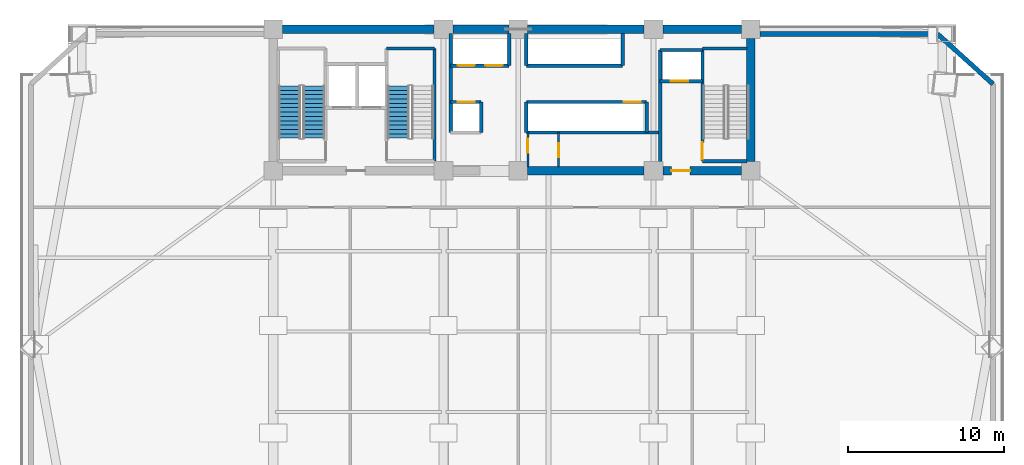
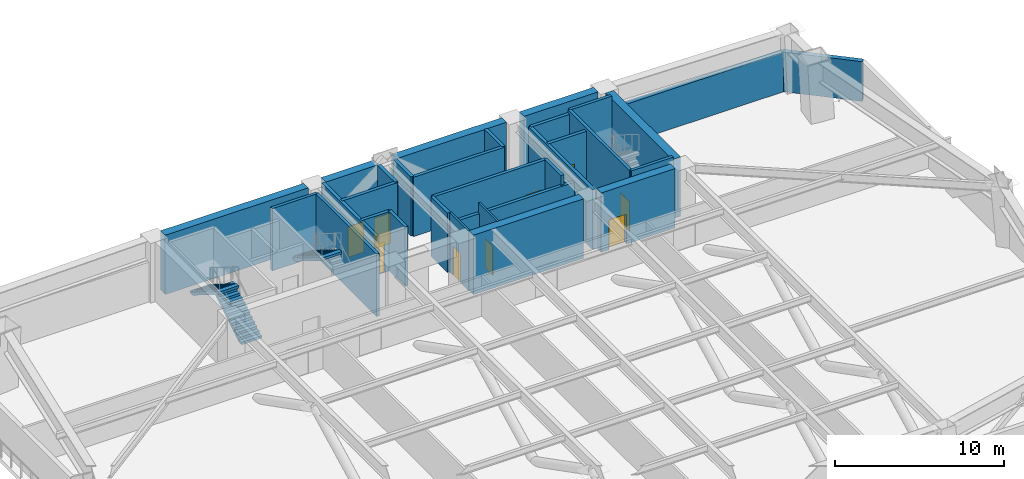
# One storey, part 4 of 10: 31 walls, 9 doors, 3 stair flights, 9 openings, 2 elements without a shape of their own.
"""IFC4 building model written with IfcOpenShell, lengths in metres."""

from ifc_helpers import new_model, si_unit, direction, frame, frame_2d, origin, place, context, subcontext, project, spatial, polyline, rectangle, outline, extrude, source, transform, mapped, material, layer, layer_set, type_object, element, fill, aggregate, save


model = new_model("IFC4")

# Units and contexts
model_context = context("Model", 3, precision=1e-05, world=origin(), true_north=direction((0.0, 1.0)))
body_context = subcontext(model_context, "Body", "Model", "MODEL_VIEW")
ifc_project = project(units=[si_unit("LENGTHUNIT", "METRE"), si_unit("AREAUNIT", "SQUARE_METRE"), si_unit("VOLUMEUNIT", "CUBIC_METRE"), si_unit("PLANEANGLEUNIT", "RADIAN"), si_unit("MASSUNIT", "GRAM", prefix="KILO")], contexts=[model_context])

# Site, building, storey
site_placement = place(None, origin())
site = spatial("IfcSite", under=ifc_project, at=site_placement, CompositionType="ELEMENT")
building_placement = place(site_placement, origin())
building = spatial("IfcBuilding", under=site, at=building_placement, Name="Giltprow Tower", CompositionType="ELEMENT")
storey_placement = place(building_placement, frame((0.0, 0.0, 95.199951171875)))
storey = spatial("IfcBuildingStorey", under=building, at=storey_placement, Name="L23", CompositionType="ELEMENT", Elevation=95.199951171875)

# Walls
ifc_material_1 = material(Name="Precast concrete C40", Category="concrete")
ifc_layer_1 = layer(ifc_material_1, 0.300048828125, Name="Precast concrete C40")
ifc_layer_set_1 = layer_set([ifc_layer_1], Name="Precast concrete C40")
wall_type_1 = type_object("IfcWallType", Name="EW-NOTCH-CHAMFER-300", PredefinedType="SOLIDWALL", material=ifc_layer_set_1)
wall_1_placement = place(storey_placement, frame((66.1259765625, 43.030029296875, 0.0), z_axis=(0.0, 0.0, 1.0), x_axis=(-0.742579132676, 0.669758338294, 0.0)))
element("IfcWall", 1, at=wall_1_placement, inside=storey, type_object=wall_type_1, Name="L23 Corner Notch Wall NE", PredefinedType="SOLIDWALL", context=body_context, shape_type="SweptSolid", body=[
    extrude(rectangle(XDim=4.8076171875, YDim=0.300048828125, at=frame_2d((2.40380859375, 0.0))), origin(), (0.0, 0.0, 1.0), 2.860107421875),
])
ifc_layer_2 = layer(ifc_material_1, 0.300048828125, Name="Precast concrete C40")
ifc_layer_set_2 = layer_set([ifc_layer_2], Name="Precast concrete C40")
wall_type_2 = type_object("IfcWallType", Name="EW-REF-LOUVRE-300", PredefinedType="SOLIDWALL", material=ifc_layer_set_2)
wall_2_placement = place(storey_placement, frame((51.14990234375, 46.25, 0.0), z_axis=(0.0, 0.0, 1.0), x_axis=(1.0, 0.0, 0.0)))
element("IfcWall", 2, at=wall_2_placement, inside=storey, type_object=wall_type_2, Name="L23 North-East Wing Wall", PredefinedType="SOLIDWALL", context=body_context, shape_type="SweptSolid", body=[
    extrude(rectangle(XDim=11.406005859375, YDim=0.300048828125, at=frame_2d((5.703125, 0.0))), origin(), (0.0, 0.0, 1.0), 2.860107421875),
])

# Wall, opening, door
ifc_material_2 = material(Name="Concrete C40", Category="concrete")
ifc_layer_3 = layer(ifc_material_2, 0.219970703125, Name="Concrete C40")
ifc_layer_set_3 = layer_set([ifc_layer_3], Name="Concrete C40")
wall_type_3 = type_object("IfcWallType", Name="IW-SHAFT-220", PredefinedType="SOLIDWALL", material=ifc_layer_set_3)
wall_3_placement = place(storey_placement, frame((44.719970703125, 43.219970703125, 0.0), z_axis=(0.0, 0.0, 1.0), x_axis=(1.0, 0.0, 0.0)))
wall_3 = element("IfcWall", 3, at=wall_3_placement, inside=storey, type_object=wall_type_3, Name="L23 FFL2 Front Shaft Wall", PredefinedType="SOLIDWALL", context=body_context, shape_type="SweptSolid", body=[
    extrude(rectangle(XDim=2.719970703125, YDim=0.219970703125, at=frame_2d((1.35986328125, 0.0))), origin(), (0.0, 0.0, 1.0), 4.280029296875),
])
opening_1_placement = place(wall_3_placement, frame((0.699951171875, 0.0, 0.0)))
opening_1 = element("IfcOpeningElement", 4, at=opening_1_placement, cuts=wall_3, Name="Opening LD-11", PredefinedType="OPENING", context=body_context, shape_type="SweptSolid", body=[
    extrude(rectangle(XDim=1.10009765625, YDim=2.199951171875, at=frame_2d((0.550048828125, 1.10009765625))), frame((0.0, 0.119873046875, 0.0), z_axis=(0.0, -1.0, 0.0), x_axis=(1.0, 0.0, 0.0)), (0.0, 0.0, 1.0), 0.239990234375),
])
ifc_material_3 = material(Name="Stainless steel", Category="steel")
door_type_1 = type_object("IfcDoorType", Name="DR-LIFT-LD1100", OperationType="SLIDING_TO_LEFT", PredefinedType="DOOR", material=ifc_material_3)
shared_shape_1 = source(origin(), body_context, "Body", "SweptSolid", [
    extrude(rectangle(XDim=1.10009765625, YDim=2.199951171875, at=frame_2d((0.550048828125, 1.10009765625))), frame((0.0, 0.02490234375, 0.0), z_axis=(0.0, -1.0, 0.0), x_axis=(1.0, 0.0, 0.0)), (0.0, 0.0, 1.0), 0.050048828125),
])
door_1_placement = place(opening_1_placement, origin())
door_1 = element("IfcDoor", 5, at=door_1_placement, inside=storey, type_object=door_type_1, Name="L23 FFL2 Landing Door", OperationType="SLIDING_TO_LEFT", OverallHeight=2.199951171875, OverallWidth=1.10009765625, PredefinedType="DOOR", context=body_context, shape_type="MappedRepresentation", body=[
    mapped(shared_shape_1, transform((0.0, 0.0, 0.0), x_axis=(1.0, 0.0, 0.0), y_axis=(0.0, 1.0, 0.0), z_axis=(0.0, 0.0, 1.0), scale=1.0)),
])
fill(opening_1, door_1)

# Walls
wall_4_placement = place(storey_placement, frame((44.719970703125, 45.219970703125, 0.0), z_axis=(0.0, 0.0, 1.0), x_axis=(1.0, 0.0, 0.0)))
element("IfcWall", 6, at=wall_4_placement, inside=storey, type_object=wall_type_3, Name="L23 FFL2 Back Shaft Wall", PredefinedType="SOLIDWALL", context=body_context, shape_type="SweptSolid", body=[
    extrude(rectangle(XDim=2.719970703125, YDim=0.219970703125, at=frame_2d((1.35986328125, 0.0))), origin(), (0.0, 0.0, 1.0), 4.280029296875),
])
wall_5_placement = place(storey_placement, frame((44.719970703125, 37.705078125, 0.0), z_axis=(0.0, 0.0, 1.0), x_axis=(0.0, 1.0, 0.0)))
element("IfcWall", 7, at=wall_5_placement, inside=storey, type_object=wall_type_3, Name="L23 East Firefighting Lobby West Wall", PredefinedType="SOLIDWALL", context=body_context, shape_type="SweptSolid", body=[
    extrude(rectangle(XDim=7.514892578125, YDim=0.219970703125, at=frame_2d((3.75732421875, 0.0))), origin(), (0.0, 0.0, 1.0), 4.280029296875),
])

# Wall, openings, doors
wall_6_placement = place(storey_placement, frame((31.25, 44.219970703125, 0.0), z_axis=(0.0, 0.0, 1.0), x_axis=(1.0, 0.0, 0.0)))
wall_6 = element("IfcWall", 8, at=wall_6_placement, inside=storey, type_object=wall_type_3, Name="L23 North West Lift Shaft Front Wall", PredefinedType="SOLIDWALL", context=body_context, shape_type="SweptSolid", body=[
    extrude(rectangle(XDim=3.77001953125, YDim=0.219970703125, at=frame_2d((1.885009765625, 0.0))), origin(), (0.0, 0.0, 1.0), 4.280029296875),
])
opening_2_placement = place(wall_6_placement, frame((0.4599609375, 0.0, 0.0)))
opening_2 = element("IfcOpeningElement", 9, at=opening_2_placement, cuts=wall_6, Name="Opening LD-11", PredefinedType="OPENING", context=body_context, shape_type="SweptSolid", body=[
    extrude(rectangle(XDim=1.10009765625, YDim=2.199951171875, at=frame_2d((0.550048828125, 1.10009765625))), frame((0.0, 0.119873046875, 0.0), z_axis=(0.0, -1.0, 0.0), x_axis=(1.0, 0.0, 0.0)), (0.0, 0.0, 1.0), 0.239990234375),
])
opening_3_placement = place(wall_6_placement, frame((2.239990234375, 0.0, 0.0)))
opening_3 = element("IfcOpeningElement", 10, at=opening_3_placement, cuts=wall_6, Name="Opening LD-11", PredefinedType="OPENING", context=body_context, shape_type="SweptSolid", body=[
    extrude(rectangle(XDim=1.10009765625, YDim=2.199951171875, at=frame_2d((0.550048828125, 1.10009765625))), frame((0.0, 0.119873046875, 0.0), z_axis=(0.0, -1.0, 0.0), x_axis=(1.0, 0.0, 0.0)), (0.0, 0.0, 1.0), 0.239990234375),
])
door_2_placement = place(opening_2_placement, origin())
door_2 = element("IfcDoor", 11, at=door_2_placement, inside=storey, type_object=door_type_1, Name="L23 PL-L1 Landing Door", OperationType="SLIDING_TO_LEFT", OverallHeight=2.199951171875, OverallWidth=1.10009765625, PredefinedType="DOOR", context=body_context, shape_type="MappedRepresentation", body=[
    mapped(shared_shape_1, transform((0.0, 0.0, 0.0), x_axis=(1.0, 0.0, 0.0), y_axis=(0.0, 1.0, 0.0), z_axis=(0.0, 0.0, 1.0), scale=1.0)),
])
fill(opening_2, door_2)
door_3_placement = place(opening_3_placement, origin())
door_3 = element("IfcDoor", 12, at=door_3_placement, inside=storey, type_object=door_type_1, Name="L23 PL-L2 Landing Door", OperationType="SLIDING_TO_LEFT", OverallHeight=2.199951171875, OverallWidth=1.10009765625, PredefinedType="DOOR", context=body_context, shape_type="MappedRepresentation", body=[
    mapped(shared_shape_1, transform((0.0, 0.0, 0.0), x_axis=(1.0, 0.0, 0.0), y_axis=(0.0, 1.0, 0.0), z_axis=(0.0, 0.0, 1.0), scale=1.0)),
])
fill(opening_3, door_3)

# Walls
wall_7_placement = place(storey_placement, frame((36.1201171875, 44.219970703125, 0.0), z_axis=(0.0, 0.0, 1.0), x_axis=(1.0, 0.0, 0.0)))
element("IfcWall", 13, at=wall_7_placement, inside=storey, type_object=wall_type_3, Name="L23 North East Lift Shaft Front Wall", PredefinedType="SOLIDWALL", context=body_context, shape_type="SweptSolid", body=[
    extrude(rectangle(XDim=6.199951171875, YDim=0.219970703125, at=frame_2d((3.10009765625, 0.0))), origin(), (0.0, 0.0, 1.0), 4.280029296875),
])
for number, where, z_axis, x_axis, name in (
    (14, (35.02001953125, 44.219970703125, 0.0), (0.0, 0.0, 1.0), (0.0, 1.0, 0.0), "L23 North West Lift Shaft East Closure"),
    (15, (36.1201171875, 44.219970703125, 0.0), (0.0, 0.0, 1.0), (0.0, 1.0, 0.0), "L23 North East Lift Shaft West Closure"),
    (16, (42.320068359375, 44.219970703125, 0.0), (0.0, 0.0, 1.0), (0.0, 1.0, 0.0), "L23 North East Lift Shaft East Closure"),
):
    element("IfcWall", number, at=place(storey_placement, frame(where, z_axis=z_axis, x_axis=x_axis)), inside=storey, type_object=wall_type_3, Name=name, PredefinedType="SOLIDWALL", context=body_context, shape_type="SweptSolid", body=[
        extrude(rectangle(XDim=2.074951171875, YDim=0.219970703125, at=frame_2d((1.03759765625, 0.0))), origin(), (0.0, 0.0, 1.0), 4.280029296875),
    ])

# Wall, opening, door
wall_8_placement = place(storey_placement, frame((31.25, 41.8798828125, 0.0), z_axis=(0.0, 0.0, 1.0), x_axis=(1.0, 0.0, 0.0)))
wall_8 = element("IfcWall", 17, at=wall_8_placement, inside=storey, type_object=wall_type_3, Name="L23 South West Lift Shaft Front Wall", PredefinedType="SOLIDWALL", context=body_context, shape_type="SweptSolid", body=[
    extrude(rectangle(XDim=1.969970703125, YDim=0.219970703125, at=frame_2d((0.98486328125, 0.0))), origin(), (0.0, 0.0, 1.0), 4.280029296875),
])
opening_4_placement = place(wall_8_placement, frame((0.4599609375, 0.0, 0.0)))
opening_4 = element("IfcOpeningElement", 18, at=opening_4_placement, cuts=wall_8, Name="Opening LD-11", PredefinedType="OPENING", context=body_context, shape_type="SweptSolid", body=[
    extrude(rectangle(XDim=1.10009765625, YDim=2.199951171875, at=frame_2d((0.550048828125, 1.10009765625))), frame((0.0, 0.119873046875, 0.0), z_axis=(0.0, -1.0, 0.0), x_axis=(1.0, 0.0, 0.0)), (0.0, 0.0, 1.0), 0.239990234375),
])
door_4_placement = place(opening_4_placement, origin())
door_4 = element("IfcDoor", 19, at=door_4_placement, inside=storey, type_object=door_type_1, Name="L23 PL-L3 Landing Door", OperationType="SLIDING_TO_LEFT", OverallHeight=2.199951171875, OverallWidth=1.10009765625, PredefinedType="DOOR", context=body_context, shape_type="MappedRepresentation", body=[
    mapped(shared_shape_1, transform((0.0, 0.0, 0.0), x_axis=(1.0, 0.0, 0.0), y_axis=(0.0, 1.0, 0.0), z_axis=(0.0, 0.0, 1.0), scale=1.0)),
])
fill(opening_4, door_4)

wall_9_placement = place(storey_placement, frame((36.1201171875, 41.8798828125, 0.0), z_axis=(0.0, 0.0, 1.0), x_axis=(1.0, 0.0, 0.0)))
wall_9 = element("IfcWall", 20, at=wall_9_placement, inside=storey, type_object=wall_type_3, Name="L23 South East Lift Shaft Front Wall", PredefinedType="SOLIDWALL", context=body_context, shape_type="SweptSolid", body=[
    extrude(rectangle(XDim=7.72998046875, YDim=0.219970703125, at=frame_2d((3.864990234375, 0.0))), origin(), (0.0, 0.0, 1.0), 4.280029296875),
])
opening_5_placement = place(wall_9_placement, frame((6.260009765625, 0.0, 0.0)))
opening_5 = element("IfcOpeningElement", 21, at=opening_5_placement, cuts=wall_9, Name="Opening LD-11", PredefinedType="OPENING", context=body_context, shape_type="SweptSolid", body=[
    extrude(rectangle(XDim=1.10009765625, YDim=2.199951171875, at=frame_2d((0.550048828125, 1.10009765625))), frame((0.0, 0.119873046875, 0.0), z_axis=(0.0, -1.0, 0.0), x_axis=(1.0, 0.0, 0.0)), (0.0, 0.0, 1.0), 0.239990234375),
])
door_5_placement = place(opening_5_placement, origin())
door_5 = element("IfcDoor", 22, at=door_5_placement, inside=storey, type_object=door_type_1, Name="L23 PL-L4 Landing Door", OperationType="SLIDING_TO_LEFT", OverallHeight=2.199951171875, OverallWidth=1.10009765625, PredefinedType="DOOR", context=body_context, shape_type="MappedRepresentation", body=[
    mapped(shared_shape_1, transform((0.0, 0.0, 0.0), x_axis=(1.0, 0.0, 0.0), y_axis=(0.0, 1.0, 0.0), z_axis=(0.0, 0.0, 1.0), scale=1.0)),
])
fill(opening_5, door_5)

# Walls
wall_10_placement = place(storey_placement, frame((33.219970703125, 39.919921875, 0.0), z_axis=(0.0, 0.0, 1.0), x_axis=(0.0, 1.0, 0.0)))
element("IfcWall", 23, at=wall_10_placement, inside=storey, type_object=wall_type_3, Name="L23 Low-Rise South Lift East Closure", PredefinedType="SOLIDWALL", context=body_context, shape_type="SweptSolid", body=[
    extrude(rectangle(XDim=1.9599609375, YDim=0.219970703125, at=frame_2d((0.97998046875, 0.0))), origin(), (0.0, 0.0, 1.0), 4.280029296875),
])
wall_11_placement = place(storey_placement, frame((36.1201171875, 39.919921875, 0.0), z_axis=(0.0, 0.0, 1.0), x_axis=(1.0, 0.0, 0.0)))
element("IfcWall", 24, at=wall_11_placement, inside=storey, type_object=wall_type_3, Name="L23 Express South Shaft Back Wall", PredefinedType="SOLIDWALL", context=body_context, shape_type="SweptSolid", body=[
    extrude(rectangle(XDim=8.599853515625, YDim=0.219970703125, at=frame_2d((4.2998046875, 0.0))), origin(), (0.0, 0.0, 1.0), 3.56494140625),
])
wall_12_placement = place(storey_placement, frame((36.1201171875, 39.919921875, 0.0), z_axis=(0.0, 0.0, 1.0), x_axis=(0.0, 1.0, 0.0)))
element("IfcWall", 25, at=wall_12_placement, inside=storey, type_object=wall_type_3, Name="L23 Express South Shaft West Closure", PredefinedType="SOLIDWALL", context=body_context, shape_type="SweptSolid", body=[
    extrude(rectangle(XDim=1.9599609375, YDim=0.219970703125, at=frame_2d((0.97998046875, 0.0))), origin(), (0.0, 0.0, 1.0), 4.280029296875),
])
wall_13_placement = place(storey_placement, frame((31.25, 39.919921875, 0.0), z_axis=(0.0, 0.0, 1.0), x_axis=(0.0, 1.0, 0.0)))
element("IfcWall", 26, at=wall_13_placement, inside=storey, type_object=wall_type_3, Name="L23 Lift Bank West Closure", PredefinedType="SOLIDWALL", context=body_context, shape_type="SweptSolid", body=[
    extrude(rectangle(XDim=6.375, YDim=0.219970703125, at=frame_2d((3.1875, 0.0))), origin(), (0.0, 0.0, 1.0), 4.280029296875),
])
wall_14_placement = place(storey_placement, frame((43.85009765625, 39.919921875, 0.0), z_axis=(0.0, 0.0, 1.0), x_axis=(0.0, 1.0, 0.0)))
element("IfcWall", 27, at=wall_14_placement, inside=storey, type_object=wall_type_3, Name="L23 Lift Bank South-East Closure", PredefinedType="SOLIDWALL", context=body_context, shape_type="SweptSolid", body=[
    extrude(rectangle(XDim=1.9599609375, YDim=0.219970703125, at=frame_2d((0.97998046875, 0.0))), origin(), (0.0, 0.0, 1.0), 4.280029296875),
])
ifc_layer_4 = layer(ifc_material_2, 0.199951171875, Name="Concrete C40")
ifc_layer_set_4 = layer_set([ifc_layer_4], Name="Concrete C40")
wall_type_4 = type_object("IfcWallType", Name="IW-STAIR-200", PredefinedType="SOLIDWALL", material=ifc_layer_set_4)
wall_15_placement = place(storey_placement, frame((30.219970703125, 38.070068359375, 0.0), z_axis=(0.0, 0.0, 1.0), x_axis=(0.0, 1.0, 0.0)))
element("IfcWall", 28, at=wall_15_placement, inside=storey, type_object=wall_type_4, Name="L23 Stair ST-2 East Bearing Wall", PredefinedType="SOLIDWALL", context=body_context, shape_type="SweptSolid", body=[
    extrude(rectangle(XDim=7.25, YDim=0.199951171875, at=frame_2d((3.625, 0.0))), origin(), (0.0, 0.0, 1.0), 4.5),
])
wall_16_placement = place(storey_placement, frame((27.139892578125, 45.320068359375, 0.0), z_axis=(0.0, 0.0, 1.0), x_axis=(1.0, 0.0, 0.0)))
element("IfcWall", 29, at=wall_16_placement, inside=storey, type_object=wall_type_4, Name="L23 Stair ST-2 North Bearing Wall", PredefinedType="SOLIDWALL", context=body_context, shape_type="SweptSolid", body=[
    extrude(rectangle(XDim=3.080078125, YDim=0.199951171875, at=frame_2d((1.5400390625, 0.0))), origin(), (0.0, 0.0, 1.0), 4.5),
])

# Wall, opening, door
wall_17_placement = place(storey_placement, frame((47.43994140625, 38.070068359375, 0.0), z_axis=(0.0, 0.0, 1.0), x_axis=(0.0, 1.0, 0.0)))
wall_17 = element("IfcWall", 30, at=wall_17_placement, inside=storey, type_object=wall_type_4, Name="L23 Stair ST-3 West Bearing Wall", PredefinedType="SOLIDWALL", context=body_context, shape_type="SweptSolid", body=[
    extrude(rectangle(XDim=7.25, YDim=0.199951171875, at=frame_2d((3.625, 0.0))), origin(), (0.0, 0.0, 1.0), 4.5),
])
opening_6_placement = place(wall_17_placement, frame((0.110107421875, 0.0, 0.0)))
opening_6 = element("IfcOpeningElement", 31, at=opening_6_placement, cuts=wall_17, Name="Opening ID33", PredefinedType="OPENING", context=body_context, shape_type="SweptSolid", body=[
    extrude(rectangle(XDim=1.10009765625, YDim=2.14990234375, at=frame_2d((0.550048828125, 1.074951171875))), frame((0.0, 0.10986328125, 0.0), z_axis=(0.0, -1.0, 0.0), x_axis=(1.0, 0.0, 0.0)), (0.0, 0.0, 1.0), 0.219970703125),
])
ifc_material_4 = material(Name="Steel fire leaf", Category="steel")
door_type_2 = type_object("IfcDoorType", Name="DR-STAIR-1100", OperationType="SINGLE_SWING_LEFT", PredefinedType="DOOR", material=ifc_material_4)
shared_shape_2 = source(origin(), body_context, "Body", "SweptSolid", [
    extrude(rectangle(XDim=1.10009765625, YDim=2.14990234375, at=frame_2d((0.550048828125, 1.074951171875))), frame((0.0, 0.02490234375, 0.0), z_axis=(0.0, -1.0, 0.0), x_axis=(1.0, 0.0, 0.0)), (0.0, 0.0, 1.0), 0.050048828125),
])
door_6_placement = place(opening_6_placement, origin())
door_6 = element("IfcDoor", 32, at=door_6_placement, inside=storey, type_object=door_type_2, Name="L23 Stair ST-3 Fire Door", OperationType="SINGLE_SWING_RIGHT", OverallHeight=2.14990234375, OverallWidth=1.10009765625, PredefinedType="DOOR", context=body_context, shape_type="MappedRepresentation", body=[
    mapped(shared_shape_2, transform((0.0, 0.0, 0.0), x_axis=(1.0, 0.0, 0.0), y_axis=(0.0, 1.0, 0.0), z_axis=(0.0, 0.0, 1.0), scale=1.0)),
])
fill(opening_6, door_6)

# Walls
for number, where, z_axis, x_axis, name in (
    (33, (47.43994140625, 45.320068359375, 0.0), (0.0, 0.0, 1.0), (1.0, 0.0, 0.0), "L23 Stair ST-3 North Bearing Wall"),
    (34, (47.43994140625, 38.070068359375, 0.0), (0.0, 0.0, 1.0), (1.0, 0.0, 0.0), "L23 Stair ST-3 South Bearing Wall"),
):
    element("IfcWall", number, at=place(storey_placement, frame(where, z_axis=z_axis, x_axis=x_axis)), inside=storey, type_object=wall_type_4, Name=name, PredefinedType="SOLIDWALL", context=body_context, shape_type="SweptSolid", body=[
        extrude(rectangle(XDim=2.85498046875, YDim=0.199951171875, at=frame_2d((1.427490234375, 0.0))), origin(), (0.0, 0.0, 1.0), 4.5),
    ])

# Wall, opening, door
ifc_material_5 = material(Name="Concrete C30", Category="concrete")
ifc_layer_5 = layer(ifc_material_5, 0.1298828125, Name="Concrete C30")
ifc_layer_set_5 = layer_set([ifc_layer_5], Name="Concrete C30")
wall_type_5 = type_object("IfcWallType", Name="IW-WET-130", PredefinedType="PARTITIONING", material=ifc_layer_set_5)
wall_18_placement = place(storey_placement, frame((36.219970703125, 37.705078125, 0.0), z_axis=(0.0, 0.0, 1.0), x_axis=(0.0, 1.0, 0.0)))
wall_18 = element("IfcWall", 35, at=wall_18_placement, inside=storey, type_object=wall_type_5, Name="L23 Core Suite West Wall", PredefinedType="PARTITIONING", context=body_context, shape_type="SweptSolid", body=[
    extrude(rectangle(XDim=2.21484375, YDim=0.1298828125, at=frame_2d((1.107421875, 0.0))), origin(), (0.0, 0.0, 1.0), 4.280029296875),
])
opening_7_placement = place(wall_18_placement, frame((0.905029296875, 0.0, 0.0)))
opening_7 = element("IfcOpeningElement", 36, at=opening_7_placement, cuts=wall_18, Name="Opening ID35", PredefinedType="OPENING", context=body_context, shape_type="SweptSolid", body=[
    extrude(rectangle(XDim=0.89990234375, YDim=2.10009765625, at=frame_2d((0.449951171875, 1.050048828125))), frame((0.0, 0.074951171875, 0.0), z_axis=(0.0, -1.0, 0.0), x_axis=(1.0, 0.0, 0.0)), (0.0, 0.0, 1.0), 0.14990234375),
])
door_type_3 = type_object("IfcDoorType", Name="DR-SHAFT-900", OperationType="SINGLE_SWING_LEFT", PredefinedType="DOOR", material=ifc_material_4)
shared_shape_3 = source(origin(), body_context, "Body", "SweptSolid", [
    extrude(rectangle(XDim=0.89990234375, YDim=2.10009765625, at=frame_2d((0.449951171875, 1.050048828125))), frame((0.0, 0.02490234375, 0.0), z_axis=(0.0, -1.0, 0.0), x_axis=(1.0, 0.0, 0.0)), (0.0, 0.0, 1.0), 0.050048828125),
])
door_7_placement = place(opening_7_placement, origin())
door_7 = element("IfcDoor", 37, at=door_7_placement, inside=storey, type_object=door_type_3, Name="L23 Core Accessible WC Door", OperationType="SINGLE_SWING_RIGHT", OverallHeight=2.10009765625, OverallWidth=0.89990234375, PredefinedType="DOOR", context=body_context, shape_type="MappedRepresentation", body=[
    mapped(shared_shape_3, transform((0.0, 0.0, 0.0), x_axis=(1.0, 0.0, 0.0), y_axis=(0.0, 1.0, 0.0), z_axis=(0.0, 0.0, 1.0), scale=1.0)),
])
fill(opening_7, door_7)

wall_19_placement = place(storey_placement, frame((38.199951171875, 37.705078125, 0.0), z_axis=(0.0, 0.0, 1.0), x_axis=(0.0, 1.0, 0.0)))
wall_19 = element("IfcWall", 38, at=wall_19_placement, inside=storey, type_object=wall_type_5, Name="L23 Core Suite Asymmetric Wall", PredefinedType="PARTITIONING", context=body_context, shape_type="SweptSolid", body=[
    extrude(rectangle(XDim=2.21484375, YDim=0.1298828125, at=frame_2d((1.107421875, 0.0))), origin(), (0.0, 0.0, 1.0), 4.280029296875),
])
opening_8_placement = place(wall_19_placement, frame((0.614990234375, 0.0, 0.0)))
opening_8 = element("IfcOpeningElement", 39, at=opening_8_placement, cuts=wall_19, Name="Opening ID35", PredefinedType="OPENING", context=body_context, shape_type="SweptSolid", body=[
    extrude(rectangle(XDim=0.89990234375, YDim=2.10009765625, at=frame_2d((0.449951171875, 1.050048828125))), frame((0.0, 0.074951171875, 0.0), z_axis=(0.0, -1.0, 0.0), x_axis=(1.0, 0.0, 0.0)), (0.0, 0.0, 1.0), 0.14990234375),
])
door_8_placement = place(opening_8_placement, origin())
door_8 = element("IfcDoor", 40, at=door_8_placement, inside=storey, type_object=door_type_3, Name="L23 Core Mail Room Door", OperationType="SINGLE_SWING_RIGHT", OverallHeight=2.10009765625, OverallWidth=0.89990234375, PredefinedType="DOOR", context=body_context, shape_type="MappedRepresentation", body=[
    mapped(shared_shape_3, transform((0.0, 0.0, 0.0), x_axis=(1.0, 0.0, 0.0), y_axis=(0.0, 1.0, 0.0), z_axis=(0.0, 0.0, 1.0), scale=1.0)),
])
fill(opening_8, door_8)

# Walls
ifc_material_6 = material(Name="Concrete C60", Category="concrete")
ifc_layer_6 = layer(ifc_material_6, 0.550048828125, Name="Concrete C60")
ifc_layer_set_6 = layer_set([ifc_layer_6], Name="Concrete C60")
wall_type_6 = type_object("IfcWallType", Name="SW-EXT-550-C60", PredefinedType="SHEAR", material=ifc_layer_set_6)
wall_20_placement = place(storey_placement, frame((20.449951171875, 46.550048828125, 0.0), z_axis=(0.0, 0.0, 1.0), x_axis=(1.0, 0.0, 0.0)))
element("IfcWall", 41, at=wall_20_placement, inside=storey, type_object=wall_type_6, Name="L23 North Rear Core Shear Wall 1", PredefinedType="SHEAR", context=body_context, shape_type="SweptSolid", body=[
    extrude(rectangle(XDim=9.75, YDim=0.550048828125, at=frame_2d((4.875, 0.0))), origin(), (0.0, 0.0, 1.0), 4.280029296875),
])
wall_21_placement = place(storey_placement, frame((31.39990234375, 46.550048828125, 0.0), z_axis=(0.0, 0.0, 1.0), x_axis=(1.0, 0.0, 0.0)))
element("IfcWall", 42, at=wall_21_placement, inside=storey, type_object=wall_type_6, Name="L23 North Rear Core Shear Wall 2", PredefinedType="SHEAR", context=body_context, shape_type="SweptSolid", body=[
    extrude(rectangle(XDim=3.60009765625, YDim=0.550048828125, at=frame_2d((1.800048828125, 0.0))), origin(), (0.0, 0.0, 1.0), 4.280029296875),
])
wall_22_placement = place(storey_placement, frame((36.199951171875, 46.550048828125, 0.0), z_axis=(0.0, 0.0, 1.0), x_axis=(1.0, 0.0, 0.0)))
element("IfcWall", 43, at=wall_22_placement, inside=storey, type_object=wall_type_6, Name="L23 North Rear Core Shear Wall 3", PredefinedType="SHEAR", context=body_context, shape_type="SweptSolid", body=[
    extrude(rectangle(XDim=7.5, YDim=0.550048828125, at=frame_2d((3.75, 0.0))), origin(), (0.0, 0.0, 1.0), 4.280029296875),
])
wall_23_placement = place(storey_placement, frame((44.89990234375, 46.550048828125, 0.0), z_axis=(0.0, 0.0, 1.0), x_axis=(1.0, 0.0, 0.0)))
element("IfcWall", 44, at=wall_23_placement, inside=storey, type_object=wall_type_6, Name="L23 North Rear Core Shear Wall 4", PredefinedType="SHEAR", context=body_context, shape_type="SweptSolid", body=[
    extrude(rectangle(XDim=5.050048828125, YDim=0.550048828125, at=frame_2d((2.52490234375, 0.0))), origin(), (0.0, 0.0, 1.0), 4.280029296875),
])
ifc_layer_7 = layer(ifc_material_6, 0.550048828125, Name="Concrete C60")
ifc_layer_set_7 = layer_set([ifc_layer_7], Name="Concrete C60")
wall_type_7 = type_object("IfcWallType", Name="SW-INT-550-C60", PredefinedType="SHEAR", material=ifc_layer_set_7)
wall_24_placement = place(storey_placement, frame((36.199951171875, 37.449951171875, 0.0), z_axis=(0.0, 0.0, 1.0), x_axis=(1.0, 0.0, 0.0)))
element("IfcWall", 45, at=wall_24_placement, inside=storey, type_object=wall_type_7, Name="L23 South Rear Core Shear Wall Mid-East", PredefinedType="SHEAR", context=body_context, shape_type="SweptSolid", body=[
    extrude(rectangle(XDim=7.5, YDim=0.550048828125, at=frame_2d((3.75, 0.0))), origin(), (0.0, 0.0, 1.0), 4.280029296875),
])

# Wall, opening, door
wall_25_placement = place(storey_placement, frame((44.89990234375, 37.449951171875, 0.0), z_axis=(0.0, 0.0, 1.0), x_axis=(1.0, 0.0, 0.0)))
wall_25 = element("IfcWall", 46, at=wall_25_placement, inside=storey, type_object=wall_type_7, Name="L23 South Rear Core Shear Wall East", PredefinedType="SHEAR", context=body_context, shape_type="SweptSolid", body=[
    extrude(rectangle(XDim=5.050048828125, YDim=0.550048828125, at=frame_2d((2.52490234375, 0.0))), origin(), (0.0, 0.0, 1.0), 4.280029296875),
])
opening_9_placement = place(wall_25_placement, frame((0.550048828125, 0.0, 0.0)))
opening_9 = element("IfcOpeningElement", 47, at=opening_9_placement, cuts=wall_25, Name="Opening ID19", PredefinedType="OPENING", context=body_context, shape_type="SweptSolid", body=[
    extrude(rectangle(XDim=1.199951171875, YDim=2.14990234375, at=frame_2d((0.60009765625, 1.074951171875))), frame((0.0, 0.284912109375, 0.0), z_axis=(0.0, -1.0, 0.0), x_axis=(1.0, 0.0, 0.0)), (0.0, 0.0, 1.0), 0.570068359375),
])
door_type_4 = type_object("IfcDoorType", Name="DR-FFLOBBY-1200", OperationType="SINGLE_SWING_RIGHT", PredefinedType="DOOR", material=ifc_material_4)
shared_shape_4 = source(origin(), body_context, "Body", "SweptSolid", [
    extrude(rectangle(XDim=1.199951171875, YDim=2.14990234375, at=frame_2d((0.60009765625, 1.074951171875))), frame((0.0, 0.02490234375, 0.0), z_axis=(0.0, -1.0, 0.0), x_axis=(1.0, 0.0, 0.0)), (0.0, 0.0, 1.0), 0.050048828125),
])
door_9_placement = place(opening_9_placement, origin())
door_9 = element("IfcDoor", 48, at=door_9_placement, inside=storey, type_object=door_type_4, Name="L23 East Firefighting Lobby Entry Door", OperationType="SINGLE_SWING_RIGHT", OverallHeight=2.14990234375, OverallWidth=1.199951171875, PredefinedType="DOOR", context=body_context, shape_type="MappedRepresentation", body=[
    mapped(shared_shape_4, transform((0.0, 0.0, 0.0), x_axis=(1.0, 0.0, 0.0), y_axis=(0.0, 1.0, 0.0), z_axis=(0.0, 0.0, 1.0), scale=1.0)),
])
fill(opening_9, door_9)

# Wall
wall_26_placement = place(storey_placement, frame((50.550048828125, 38.050048828125, 0.0), z_axis=(0.0, 0.0, 1.0), x_axis=(0.0, 1.0, 0.0)))
element("IfcWall", 49, at=wall_26_placement, inside=storey, type_object=wall_type_7, Name="L23 E Rear Core Shear Wall", PredefinedType="SHEAR", context=body_context, shape_type="SweptSolid", body=[
    extrude(rectangle(XDim=7.89990234375, YDim=0.550048828125, at=frame_2d((3.949951171875, 0.0))), origin(), (0.0, 0.0, 1.0), 4.280029296875),
])

# Stair, stair flights
stair_type_1 = type_object("IfcStairType", Name="STR-ST-1", PredefinedType="HALF_TURN_STAIR", material=ifc_material_2)
stair_1_placement = place(storey_placement, origin())
stair_1 = element("IfcStair", 50, at=stair_1_placement, inside=storey, type_object=stair_type_1, Name="L23 Core Exit Stair ST-1", PredefinedType="HALF_TURN_STAIR")
stair_flight_type_1 = type_object("IfcStairFlightType", Name="SFL-ST-1", PredefinedType="STRAIGHT", material=ifc_material_2)
stair_flight_1_placement = place(storey_placement, frame((22.4599609375, 39.550048828125, 0.0), z_axis=(0.0, 0.0, 1.0), x_axis=(0.0, 1.0, 0.0)))
stair_flight_1 = element("IfcStairFlight", 51, at=stair_flight_1_placement, type_object=stair_flight_type_1, Name="ST-1 flight 1", NumberOfRisers=13, NumberOfTreads=12, PredefinedType="STRAIGHT", RiserHeight=0.173076923, TreadLength=0.28, context=body_context, shape_type="SweptSolid", body=[
    extrude(outline(polyline([(0.0, 0.0), (0.0, 0.173095703125), (0.280029296875, 0.173095703125), (0.280029296875, 0.34619140625), (0.56005859375, 0.34619140625), (0.56005859375, 0.519287109375), (0.840087890625, 0.519287109375), (0.840087890625, 0.6923828125), (1.1201171875, 0.6923828125), (1.1201171875, 0.865478515625), (1.39990234375, 0.865478515625), (1.39990234375, 1.03857421875), (1.679931640625, 1.03857421875), (1.679931640625, 1.21142578125), (1.9599609375, 1.21142578125), (1.9599609375, 1.384521484375), (2.239990234375, 1.384521484375), (2.239990234375, 1.5576171875), (2.52001953125, 1.5576171875), (2.52001953125, 1.730712890625), (2.800048828125, 1.730712890625), (2.800048828125, 1.90380859375), (3.080078125, 1.90380859375), (3.080078125, 2.076904296875), (3.360107421875, 2.076904296875), (3.360107421875, 2.25), (3.360107421875, 1.900634765625), (0.28515625, 0.0), (0.0, 0.0)])), frame((0.0, 0.699951171875, 0.0), z_axis=(0.0, -1.0, 0.0), x_axis=(1.0, 0.0, 0.0)), (0.0, 0.0, 1.0), 1.39990234375),
])
stair_flight_2_placement = place(storey_placement, frame((20.89990234375, 42.909912109375, 2.25), z_axis=(0.0, 0.0, 1.0), x_axis=(0.0, -1.0, 0.0)))
stair_flight_2 = element("IfcStairFlight", 52, at=stair_flight_2_placement, type_object=stair_flight_type_1, Name="ST-1 flight 2", NumberOfRisers=13, NumberOfTreads=12, PredefinedType="STRAIGHT", RiserHeight=0.173076923, TreadLength=0.28, context=body_context, shape_type="SweptSolid", body=[
    extrude(outline(polyline([(0.0, 0.0), (0.0, 0.173095703125), (0.280029296875, 0.173095703125), (0.280029296875, 0.34619140625), (0.56005859375, 0.34619140625), (0.56005859375, 0.519287109375), (0.840087890625, 0.519287109375), (0.840087890625, 0.6923828125), (1.1201171875, 0.6923828125), (1.1201171875, 0.865478515625), (1.39990234375, 0.865478515625), (1.39990234375, 1.03857421875), (1.679931640625, 1.03857421875), (1.679931640625, 1.21142578125), (1.9599609375, 1.21142578125), (1.9599609375, 1.384521484375), (2.239990234375, 1.384521484375), (2.239990234375, 1.5576171875), (2.52001953125, 1.5576171875), (2.52001953125, 1.730712890625), (2.800048828125, 1.730712890625), (2.800048828125, 1.90380859375), (3.080078125, 1.90380859375), (3.080078125, 2.076904296875), (3.360107421875, 2.076904296875), (3.360107421875, 2.25), (3.360107421875, 1.900634765625), (0.28515625, 0.0), (0.0, 0.0)])), frame((0.0, 0.699951171875, 0.0), z_axis=(0.0, -1.0, 0.0), x_axis=(1.0, 0.0, 0.0)), (0.0, 0.0, 1.0), 1.39990234375),
])
aggregate(stair_1, [stair_flight_1, stair_flight_2])

# Stair, stair flight
stair_type_2 = type_object("IfcStairType", Name="STR-ST-2", PredefinedType="HALF_TURN_STAIR", material=ifc_material_2)
stair_2_placement = place(storey_placement, origin())
stair_2 = element("IfcStair", 53, at=stair_2_placement, inside=storey, type_object=stair_type_2, Name="L23 Core Exit Stair ST-2", PredefinedType="HALF_TURN_STAIR")
stair_flight_type_2 = type_object("IfcStairFlightType", Name="SFL-ST-2", PredefinedType="STRAIGHT", material=ifc_material_2)
stair_flight_3_placement = place(storey_placement, frame((27.89990234375, 42.909912109375, 2.25), z_axis=(0.0, 0.0, 1.0), x_axis=(0.0, -1.0, 0.0)))
stair_flight_3 = element("IfcStairFlight", 54, at=stair_flight_3_placement, type_object=stair_flight_type_2, Name="ST-2 flight 2", NumberOfRisers=13, NumberOfTreads=12, PredefinedType="STRAIGHT", RiserHeight=0.173076923, TreadLength=0.28, context=body_context, shape_type="SweptSolid", body=[
    extrude(outline(polyline([(0.0, 0.0), (0.0, 0.173095703125), (0.280029296875, 0.173095703125), (0.280029296875, 0.34619140625), (0.56005859375, 0.34619140625), (0.56005859375, 0.519287109375), (0.840087890625, 0.519287109375), (0.840087890625, 0.6923828125), (1.1201171875, 0.6923828125), (1.1201171875, 0.865478515625), (1.39990234375, 0.865478515625), (1.39990234375, 1.03857421875), (1.679931640625, 1.03857421875), (1.679931640625, 1.21142578125), (1.9599609375, 1.21142578125), (1.9599609375, 1.384521484375), (2.239990234375, 1.384521484375), (2.239990234375, 1.5576171875), (2.52001953125, 1.5576171875), (2.52001953125, 1.730712890625), (2.800048828125, 1.730712890625), (2.800048828125, 1.90380859375), (3.080078125, 1.90380859375), (3.080078125, 2.076904296875), (3.360107421875, 2.076904296875), (3.360107421875, 2.25), (3.360107421875, 1.900634765625), (0.28515625, 0.0), (0.0, 0.0)])), frame((0.0, 0.699951171875, 0.0), z_axis=(0.0, -1.0, 0.0), x_axis=(1.0, 0.0, 0.0)), (0.0, 0.0, 1.0), 1.39990234375),
])
aggregate(stair_2, [stair_flight_3])

save(model, "model.ifc")
